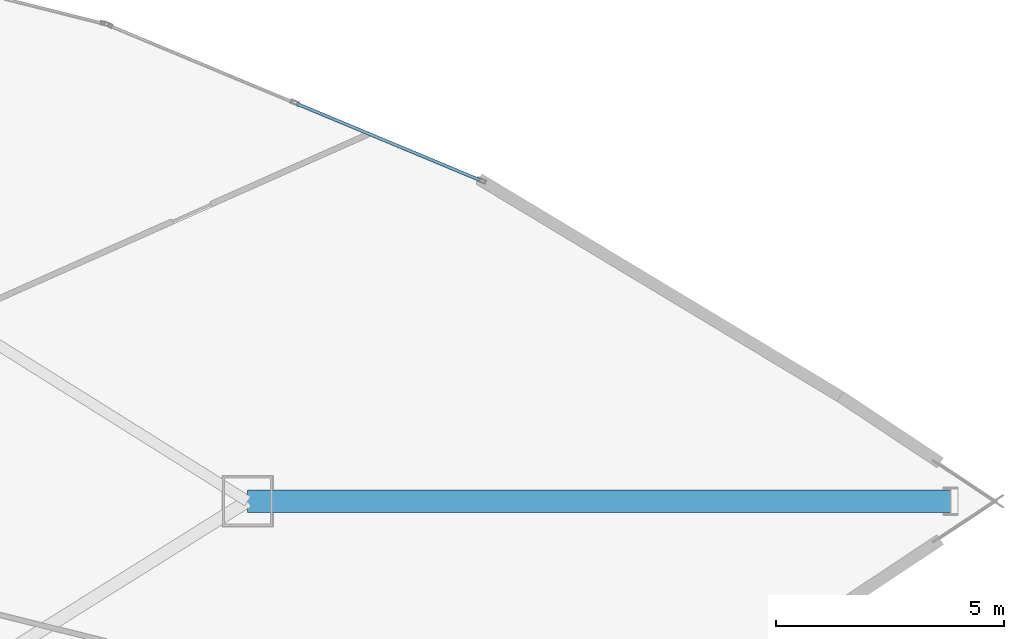
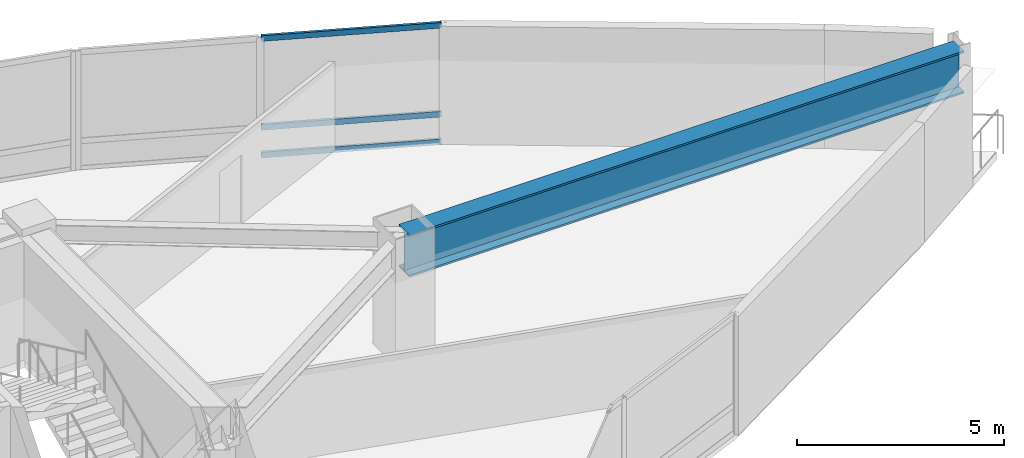
# One storey, part 11 of 18: 3 members, 1 beam, 1 element without a shape of its own.
"""IFC4 building model written with IfcOpenShell, lengths in metres."""

import ifcopenshell
import ifcopenshell.guid

model = None  # the IFC model being written
_history = None  # IfcOwnerHistory: only IFC2X3 demands one
_inside = {}  # id of a spatial element -> (the spatial element, [elements in it])
_under = {}  # id of a project, library or spatial element -> (it, [spatial elements below it])
_declared = {}  # id of a project -> (the project, [libraries it declares])
_typed = {}  # id of a type object -> (the type object, [elements of that type])
_made_of = {}  # id of a material, layer set ... -> (it, [elements and type objects made of it])


def new_model(schema):
    """Start an empty IFC model of exactly this schema.

    Asked for "IFC4X3", IfcOpenShell would pick the latest addendum, in which some entities
    have other attributes; the version numbers below select the first issue.
    IFC2X3 requires an IfcOwnerHistory on every rooted entity: one is made here for all.
    """
    global model, _history
    if schema == "IFC4X3":
        model = ifcopenshell.file(schema_version=(4, 3, 0, 0))
    else:
        model = ifcopenshell.file(schema=schema)
    _inside.clear()
    _under.clear()
    _declared.clear()
    _typed.clear()
    _made_of.clear()
    _history = None
    if model.schema == "IFC2X3":
        org = make("IfcOrganization", Name="unknown")
        user = make(
            "IfcPersonAndOrganization",
            ThePerson=make("IfcPerson", FamilyName="unknown"),
            TheOrganization=org,
        )
        app = make(
            "IfcApplication",
            ApplicationDeveloper=org,
            Version="unknown",
            ApplicationFullName="unknown",
            ApplicationIdentifier="unknown",
        )
        _history = make(
            "IfcOwnerHistory",
            OwningUser=user,
            OwningApplication=app,
            ChangeAction="ADDED",
            CreationDate=0,
        )
    return model


def make(cls, **values):
    """One entity of the class cls with the attributes given. An attribute that is None is left unset."""
    return model.create_entity(
        cls, **{name: value for name, value in values.items() if value is not None}
    )


def rooted(cls, **values):
    """An entity with a GlobalId (a new one), such as an element, a storey or a relation."""
    return make(cls, GlobalId=ifcopenshell.guid.new(), OwnerHistory=_history, **values)


def si_unit(unit_type, name, prefix=None):
    """IfcSIUnit, for example si_unit("LENGTHUNIT", "METRE", prefix="MILLI")."""
    return make("IfcSIUnit", UnitType=unit_type, Prefix=prefix, Name=name)


def assignment(units):
    """IfcUnitAssignment: the units of a project."""
    return None if units is None else make("IfcUnitAssignment", Units=units)


def point(xyz):
    """IfcCartesianPoint."""
    return None if xyz is None else make("IfcCartesianPoint", Coordinates=xyz)


def direction(xyz):
    """IfcDirection."""
    return None if xyz is None else make("IfcDirection", DirectionRatios=xyz)


def frame(location, z_axis=None, x_axis=None):
    """IfcAxis2Placement3D, a coordinate frame: its origin and axes. An axis left out is left unset."""
    return make(
        "IfcAxis2Placement3D",
        Location=point(location),
        Axis=direction(z_axis),
        RefDirection=direction(x_axis),
    )


def frame_2d(location, x_axis=None):
    """IfcAxis2Placement2D, a coordinate frame in the plane: its origin and x axis."""
    return make(
        "IfcAxis2Placement2D", Location=point(location), RefDirection=direction(x_axis)
    )


def origin():
    """The frame at (0, 0, 0) with its axes left unset."""
    return frame((0.0, 0.0, 0.0))


def origin_2d():
    """The frame at (0, 0) in the plane with its x axis left unset."""
    return frame_2d((0.0, 0.0))


def place(relative_to, where):
    """IfcLocalPlacement: puts the frame where relative to a parent placement (None: the world)."""
    return make(
        "IfcLocalPlacement", PlacementRelTo=relative_to, RelativePlacement=where
    )


def context(
    kind, dimensions, precision=None, world=None, true_north=None, identifier=None
):
    """IfcGeometricRepresentationContext, for example the 3D "Model" context."""
    return make(
        "IfcGeometricRepresentationContext",
        ContextIdentifier=identifier,
        ContextType=kind,
        CoordinateSpaceDimension=dimensions,
        Precision=precision,
        WorldCoordinateSystem=world,
        TrueNorth=true_north,
    )


def subcontext(parent, identifier, kind, view, scale=None):
    """IfcGeometricRepresentationSubContext, for example "Body" below "Model"."""
    return make(
        "IfcGeometricRepresentationSubContext",
        ContextIdentifier=identifier,
        ContextType=kind,
        ParentContext=parent,
        TargetScale=scale,
        TargetView=view,
    )


def project(units=None, contexts=None):
    """IfcProject with its units and contexts."""
    return rooted(
        "IfcProject",
        Name="project",
        RepresentationContexts=contexts,
        UnitsInContext=assignment(units),
    )


def spatial(cls, under=None, at=None, **own):
    """A site, building, storey or space (cls), placed at a placement, below another one or the project."""
    s = rooted(cls, ObjectPlacement=at, **own)
    if under is not None:
        _under.setdefault(under.id(), (under, []))[1].append(s)
    return s


def profile(cls, at=None, kind="AREA", **sizes):
    """A parametric profile (cls). Its sizes go by their IFC names, for example OverallWidth=200.0."""
    return make(cls, ProfileType=kind, Position=at, **sizes)


def hollow_rectangle(**sizes):
    """IfcRectangleHollowProfileDef."""
    return profile("IfcRectangleHollowProfileDef", **sizes)


def i_section(**sizes):
    """IfcIShapeProfileDef."""
    return profile("IfcIShapeProfileDef", **sizes)


def extrude(swept, where, along, depth):
    """IfcExtrudedAreaSolid: the profile swept, set in the frame where, extruded along a direction by depth."""
    return make(
        "IfcExtrudedAreaSolid",
        SweptArea=swept,
        Position=where,
        ExtrudedDirection=direction(along),
        Depth=depth,
    )


def shape(context_of_items, identifier, shape_type, items):
    """IfcShapeRepresentation: the items that make up one representation, for example the "Body"."""
    return make(
        "IfcShapeRepresentation",
        ContextOfItems=context_of_items,
        RepresentationIdentifier=identifier,
        RepresentationType=shape_type,
        Items=items,
    )


def material(Name=None, Category=None):
    """IfcMaterial."""
    return make("IfcMaterial", Name=Name, Category=Category)


def layer(
    of_material, thickness, ventilated=None, Name=None, Category=None, Priority=None
):
    """IfcMaterialLayer: one layer of a wall or slab, of a material (None: an air gap)."""
    return make(
        "IfcMaterialLayer",
        Material=of_material,
        LayerThickness=thickness,
        IsVentilated=ventilated,
        Name=Name,
        Category=Category,
        Priority=Priority,
    )


def layer_set(layers, Name=None):
    """IfcMaterialLayerSet."""
    return make("IfcMaterialLayerSet", MaterialLayers=layers, LayerSetName=Name)


def material_profile(
    of_material, cross_section, Name=None, Category=None, Priority=None
):
    """IfcMaterialProfile: a cross section and its material."""
    return make(
        "IfcMaterialProfile",
        Name=Name,
        Material=of_material,
        Profile=cross_section,
        Priority=Priority,
        Category=Category,
    )


def profile_set(profiles, Name=None, composite=None):
    """IfcMaterialProfileSet."""
    return make(
        "IfcMaterialProfileSet",
        Name=Name,
        MaterialProfiles=profiles,
        CompositeProfile=composite,
    )


def made_of(thing, what):
    """Note that an element or type object is made of a material, layer set ...; save() writes the relation."""
    if what is not None:
        _made_of.setdefault(what.id(), (what, []))[1].append(thing)
    return thing


def type_object(cls, material=None, **own):
    """A type object (cls), such as IfcWallType, which elements share."""
    return made_of(rooted(cls, **own), material)


def element(
    cls,
    number,
    at=None,
    inside=None,
    cuts=None,
    type_object=None,
    material=None,
    context=None,
    identifier="Body",
    shape_type=None,
    held_by="IfcProductDefinitionShape",
    body=None,
    shapes=None,
    **own,
):
    """One element of the class cls, such as IfcWall. Its Tag is "e" and its number.

    at: its placement. inside: the storey or other place that contains it. cuts: it is an
    opening in that element (IfcRelVoidsElement). A single representation is given by context,
    identifier, shape_type and body (its items); several are given by shapes. held_by: the class
    of the entity that holds the representations. save() writes the other relations.
    """
    e = rooted(cls, Tag="e%d" % number, ObjectPlacement=at, **own)
    if body is not None:
        shapes = [shape(context, identifier, shape_type, body)]
    if shapes is not None:
        e.Representation = make(held_by, Representations=shapes)
    if inside is not None:
        _inside.setdefault(inside.id(), (inside, []))[1].append(e)
    if cuts is not None:
        rooted(
            "IfcRelVoidsElement", RelatingBuildingElement=cuts, RelatedOpeningElement=e
        )
    if type_object is not None:
        _typed.setdefault(type_object.id(), (type_object, []))[1].append(e)
    return made_of(e, material)


def aggregate(whole, parts):
    """IfcRelAggregates: a whole, such as a stair, and the parts it consists of."""
    return rooted("IfcRelAggregates", RelatingObject=whole, RelatedObjects=parts)


def save(model, path):
    """Write the relations noted so far, then the file.

    IfcRelAggregates (storeys below a building ...), IfcRelContainedInSpatialStructure (elements
    in a storey), IfcRelDefinesByType, IfcRelAssociatesMaterial and IfcRelDeclares: one each for
    every whole, place, type object, material and project.
    """
    for whole, parts in _under.values():
        aggregate(whole, parts)
    for where, things in _inside.values():
        rooted(
            "IfcRelContainedInSpatialStructure",
            RelatedElements=things,
            RelatingStructure=where,
        )
    for kind, things in _typed.values():
        rooted("IfcRelDefinesByType", RelatedObjects=things, RelatingType=kind)
    for what, things in _made_of.values():
        rooted("IfcRelAssociatesMaterial", RelatedObjects=things, RelatingMaterial=what)
    for by, libraries in _declared.values():
        rooted("IfcRelDeclares", RelatingContext=by, RelatedDefinitions=libraries)
    model.write(path)


model = new_model("IFC4")

# Units and contexts
model_context = context("Model", 3, precision=1e-05, world=origin(), true_north=direction((0.0, 1.0)))
body_context = subcontext(model_context, "Body", "Model", "MODEL_VIEW")
ifc_project = project(units=[si_unit("LENGTHUNIT", "METRE"), si_unit("AREAUNIT", "SQUARE_METRE"), si_unit("VOLUMEUNIT", "CUBIC_METRE"), si_unit("PLANEANGLEUNIT", "RADIAN"), si_unit("MASSUNIT", "GRAM", prefix="KILO")], contexts=[model_context])

# Site, building, storey
site_placement = place(None, origin())
site = spatial("IfcSite", under=ifc_project, at=site_placement, CompositionType="ELEMENT")
building_placement = place(site_placement, origin())
building = spatial("IfcBuilding", under=site, at=building_placement, Name="Menara Vayukalpa", CompositionType="ELEMENT")
storey_placement = place(building_placement, frame((0.0, 0.0, 161.760009765625)))
storey = spatial("IfcBuildingStorey", under=building, at=storey_placement, Name="L40", CompositionType="ELEMENT", Elevation=161.760009765625)

# Beam
ifc_material_1 = material(Name="Steel S460", Category="steel")
ifc_material_profile_1 = material_profile(ifc_material_1, i_section(OverallWidth=0.5, OverallDepth=1.25, WebThickness=0.028076171875, FlangeThickness=0.054931640625, at=origin_2d()), Name="WG 1250x500x28x55")
ifc_profile_set_1 = profile_set([ifc_material_profile_1], Name="Steel S460")
beam_type = type_object("IfcBeamType", Name="BM-TG2", PredefinedType="BEAM", material=ifc_profile_set_1)
beam_placement = place(storey_placement, frame((41.05908203125, 22.0, 2.875), z_axis=(1.0, 0.0, 0.0), x_axis=(0.0, 1.0, 0.0)))
element("IfcBeam", 1, at=beam_placement, inside=storey, type_object=beam_type, Name="L40 SB3 Sky Bar Vierendeel Girder 01", PredefinedType="BEAM", context=body_context, shape_type="SweptSolid", body=[
    extrude(i_section(OverallWidth=0.5, OverallDepth=1.25, WebThickness=0.028076171875, FlangeThickness=0.054931640625, at=origin_2d()), origin(), (0.0, 0.0, 1.0), 15.44287109375),
])

# Curtain wall, members
ifc_material_2 = material(Name="Anodised Terracotta Aluminium Alloy 6063-T6", Category="masonry")
ifc_layer = layer(ifc_material_2, 0.179931640625)
ifc_layer_set = layer_set([ifc_layer], Name="Anodised Terracotta Aluminium Alloy 6063-T6")
curtain_wall_type = type_object("IfcCurtainWallType", Name="CW-CW4", PredefinedType="USERDEFINED", material=ifc_layer_set)
curtain_wall_placement = place(storey_placement, origin())
curtain_wall = element("IfcCurtainWall", 2, at=curtain_wall_placement, inside=storey, type_object=curtain_wall_type, Name="L40 Sky Bar Cantilever Glazed Curtain Wall CW4 04", ObjectType="UNITISED", PredefinedType="USERDEFINED")
ifc_material_3 = material(Name="Anodised Terracotta Aluminium Alloy 6063-T6", Category="masonry")
ifc_material_profile_2 = material_profile(ifc_material_3, hollow_rectangle(XDim=0.070068359375, YDim=0.1650390625, WallThickness=0.00390625, at=origin_2d()), Name="ALU 70x165x4")
ifc_profile_set_2 = profile_set([ifc_material_profile_2], Name="Anodised Terracotta Aluminium Alloy 6063-T6")
member_type = type_object("IfcMemberType", Name="CWT-CW4", PredefinedType="USERDEFINED", material=ifc_profile_set_2)
member_1_placement = place(storey_placement, frame((46.166015625, 29.05419921875, 0.034912109375), z_axis=(-0.9228767989, 0.385095331123, 0.0), x_axis=(-0.385095331123, -0.9228767989, 0.0)))
member_1 = element("IfcMember", 3, at=member_1_placement, type_object=member_type, Name="CW4 transom 1.1", ObjectType="TRANSOM", PredefinedType="USERDEFINED", context=body_context, shape_type="SweptSolid", body=[
    extrude(hollow_rectangle(XDim=0.070068359375, YDim=0.1650390625, WallThickness=0.00390625, at=origin_2d()), origin(), (0.0, 0.0, 1.0), 4.369873046875),
])
member_2_placement = place(storey_placement, frame((46.166015625, 29.05419921875, 0.85009765625), z_axis=(-0.9228767989, 0.385095331123, 0.0), x_axis=(-0.385095331123, -0.9228767989, 0.0)))
member_2 = element("IfcMember", 4, at=member_2_placement, type_object=member_type, Name="CW4 transom 1.2", ObjectType="TRANSOM", PredefinedType="USERDEFINED", context=body_context, shape_type="SweptSolid", body=[
    extrude(hollow_rectangle(XDim=0.070068359375, YDim=0.1650390625, WallThickness=0.00390625, at=origin_2d()), origin(), (0.0, 0.0, 1.0), 4.369873046875),
])
member_3_placement = place(storey_placement, frame((46.166015625, 29.05419921875, 3.465087890625), z_axis=(-0.9228767989, 0.385095331123, 0.0), x_axis=(-0.385095331123, -0.9228767989, 0.0)))
member_3 = element("IfcMember", 5, at=member_3_placement, type_object=member_type, Name="CW4 transom 1.3", ObjectType="TRANSOM", PredefinedType="USERDEFINED", context=body_context, shape_type="SweptSolid", body=[
    extrude(hollow_rectangle(XDim=0.070068359375, YDim=0.1650390625, WallThickness=0.00390625, at=origin_2d()), origin(), (0.0, 0.0, 1.0), 4.369873046875),
])
aggregate(curtain_wall, [member_1, member_2, member_3])

save(model, "model.ifc")
